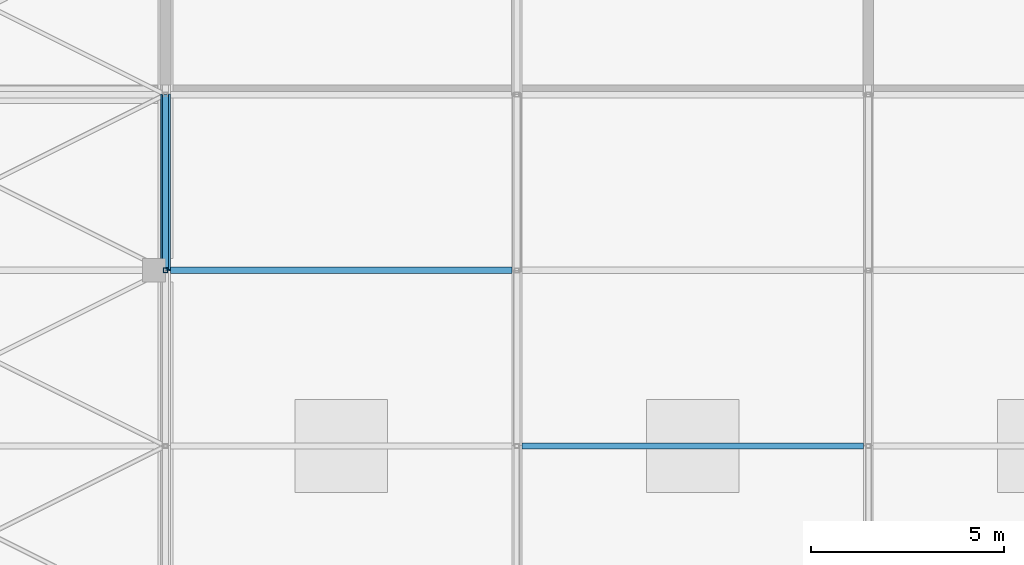
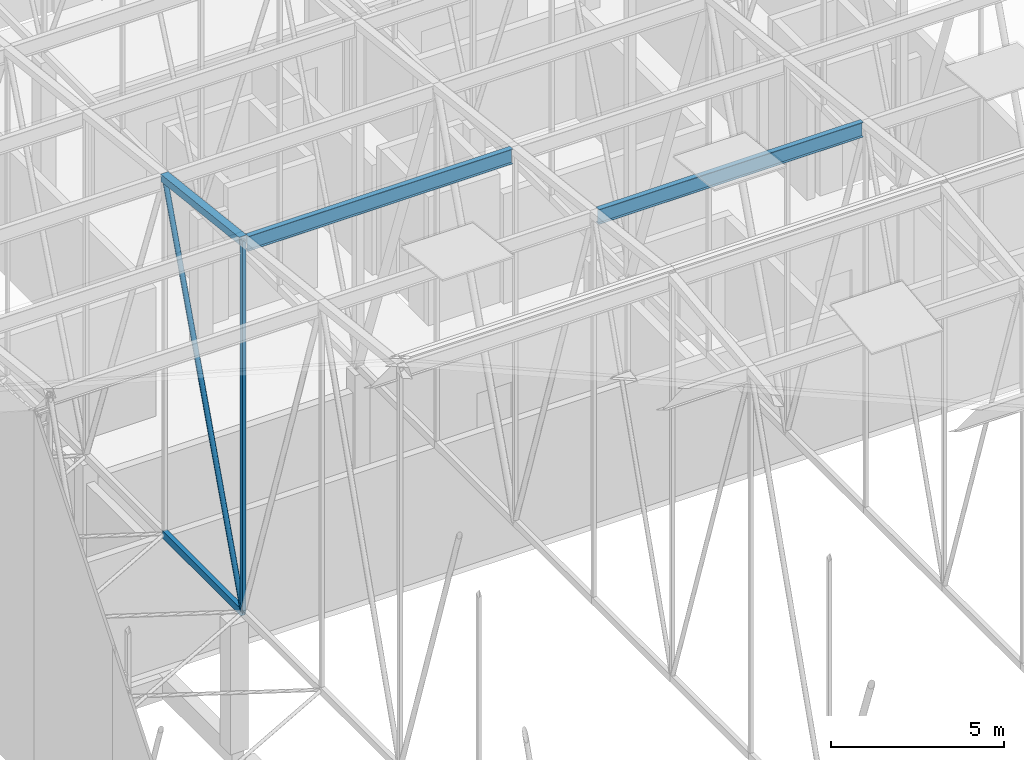
# One storey, part 174 of 500: 6 members.
"""IFC4 building model written with IfcOpenShell, lengths in metres."""

from ifc_helpers import new_model, si_unit, direction, frame, origin, origin_2d, place, context, subcontext, project, spatial, hollow_rectangle, hollow_circle, i_section, extrude, material, material_profile, profile_set, type_object, element, save


model = new_model("IFC4")

# Units and contexts
model_context = context("Model", 3, precision=1e-05, world=origin(), true_north=direction((0.0, 1.0)))
body_context = subcontext(model_context, "Body", "Model", "MODEL_VIEW")
ifc_project = project(units=[si_unit("LENGTHUNIT", "METRE"), si_unit("AREAUNIT", "SQUARE_METRE"), si_unit("VOLUMEUNIT", "CUBIC_METRE"), si_unit("PLANEANGLEUNIT", "RADIAN"), si_unit("MASSUNIT", "GRAM", prefix="KILO")], contexts=[model_context])

# Site, building, storey
site_placement = place(None, origin())
site = spatial("IfcSite", under=ifc_project, at=site_placement, CompositionType="ELEMENT")
building_placement = place(site_placement, origin())
building = spatial("IfcBuilding", under=site, at=building_placement, Name="Shirokan Park Arena", CompositionType="ELEMENT")
storey_placement = place(building_placement, frame((0.0, 0.0, 29.1201171875)))
storey = spatial("IfcBuildingStorey", under=building, at=storey_placement, Name="L06", CompositionType="ELEMENT", Elevation=29.1201171875)

# Members
ifc_material_1 = material(Name="Steel ASTM A500 Grade C", Category="steel")
ifc_material_profile_1 = material_profile(ifc_material_1, hollow_rectangle(XDim=0.152099609375, YDim=0.25390625, WallThickness=0.009521484375, at=origin_2d()), Name="HSS254X152.4X9.5")
ifc_profile_set_1 = profile_set([ifc_material_profile_1], Name="Steel ASTM A500 Grade C")
member_type_1 = type_object("IfcMemberType", Name="Bottom chord HSS254X152.4X9.5", PredefinedType="CHORD", material=ifc_profile_set_1)
member_1_placement = place(storey_placement, frame((9.10009765625, 63.699951171875, 4.677001953125), z_axis=(0.0, 1.0, 0.0), x_axis=(-1.0, 0.0, 0.0)))
element("IfcMember", 1, at=member_1_placement, inside=storey, type_object=member_type_1, Name="Truss T02 bottom chord 17", PredefinedType="CHORD", context=body_context, shape_type="SweptSolid", body=[
    extrude(hollow_rectangle(XDim=0.152099609375, YDim=0.25390625, WallThickness=0.009521484375, at=origin_2d()), origin(), (0.0, 0.0, 1.0), 4.550048828125),
])
ifc_material_2 = material(Name="Steel ASTM A992", Category="steel")
ifc_material_profile_2 = material_profile(ifc_material_2, i_section(OverallWidth=0.166015625, OverallDepth=0.528076171875, WebThickness=0.009765625, FlangeThickness=0.013671875, at=origin_2d()), Name="W530X74")
ifc_profile_set_2 = profile_set([ifc_material_profile_2], Name="Steel ASTM A992")
member_type_2 = type_object("IfcMemberType", Name="Purlin W530X74", PredefinedType="PURLIN", material=ifc_profile_set_2)
member_2_placement = place(storey_placement, frame((18.326904296875, 59.14990234375, 18.205810546875), z_axis=(1.0, 0.0, 0.0), x_axis=(0.0, 1.0, 0.0)))
element("IfcMember", 2, at=member_2_placement, inside=storey, type_object=member_type_2, Name="Purlin 16 bay 3", PredefinedType="PURLIN", context=body_context, shape_type="SweptSolid", body=[
    extrude(i_section(OverallWidth=0.166015625, OverallDepth=0.528076171875, WebThickness=0.009765625, FlangeThickness=0.013671875, at=origin_2d()), origin(), (0.0, 0.0, 1.0), 8.84619140625),
])
member_3_placement = place(storey_placement, frame((9.22705078125, 63.699951171875, 17.685791015625), z_axis=(1.0, 0.0, 0.0), x_axis=(0.0, 1.0, 0.0)))
element("IfcMember", 3, at=member_3_placement, inside=storey, type_object=member_type_2, Name="Purlin 17 bay 2", PredefinedType="PURLIN", context=body_context, shape_type="SweptSolid", body=[
    extrude(i_section(OverallWidth=0.166015625, OverallDepth=0.528076171875, WebThickness=0.009765625, FlangeThickness=0.013671875, at=origin_2d()), origin(), (0.0, 0.0, 1.0), 8.845947265625),
])
ifc_material_profile_3 = material_profile(ifc_material_1, hollow_rectangle(XDim=0.25390625, YDim=0.25390625, WallThickness=0.009521484375, at=origin_2d()), Name="HSS254X254X9.5")
ifc_profile_set_3 = profile_set([ifc_material_profile_3], Name="Steel ASTM A500 Grade C")
member_type_3 = type_object("IfcMemberType", Name="Top chord HSS254X254X9.5", PredefinedType="CHORD", material=ifc_profile_set_3)
member_4_placement = place(storey_placement, frame((9.10009765625, 63.699951171875, 17.822998046875), z_axis=(0.0, 0.993532328996, -0.113549598152), x_axis=(-1.0, 0.0, 0.0)))
element("IfcMember", 4, at=member_4_placement, inside=storey, type_object=member_type_3, Name="Truss T02 top chord 17", PredefinedType="CHORD", context=body_context, shape_type="SweptSolid", body=[
    extrude(hollow_rectangle(XDim=0.25390625, YDim=0.25390625, WallThickness=0.009521484375, at=origin_2d()), origin(), (0.0, 0.0, 1.0), 4.57958984375),
])
ifc_material_profile_4 = material_profile(ifc_material_1, hollow_circle(Radius=0.083984375, WallThickness=0.009521484375, at=origin_2d()), Name="HSS168.3X9.5")
ifc_profile_set_4 = profile_set([ifc_material_profile_4], Name="Steel ASTM A500 Grade C")
member_type_4 = type_object("IfcMemberType", Name="Truss diagonal HSS168.3X9.5", PredefinedType="BRACE", material=ifc_profile_set_4)
member_5_placement = place(storey_placement, frame((9.10009765625, 63.699951171875, 4.677001953125), z_axis=(0.0, 0.339029292845, 0.940775817394), x_axis=(-1.0, 0.0, 0.0)))
element("IfcMember", 5, at=member_5_placement, inside=storey, type_object=member_type_4, Name="Truss T02 diagonal 17", PredefinedType="BRACE", context=body_context, shape_type="SweptSolid", body=[
    extrude(hollow_circle(Radius=0.083984375, WallThickness=0.009521484375, at=origin_2d()), origin(), (0.0, 0.0, 1.0), 13.4208984375),
])
ifc_material_profile_5 = material_profile(ifc_material_1, hollow_rectangle(XDim=0.126953125, YDim=0.126953125, WallThickness=0.0126953125, at=origin_2d()), Name="HSS127X127X12.7")
ifc_profile_set_5 = profile_set([ifc_material_profile_5], Name="Steel ASTM A500 Grade C")
member_type_5 = type_object("IfcMemberType", Name="Truss post HSS127X127X12.7", PredefinedType="POST", material=ifc_profile_set_5)
member_6_placement = place(storey_placement, frame((9.10009765625, 63.699951171875, 4.677001953125), z_axis=(0.0, 0.0, 1.0), x_axis=(1.0, 0.0, 0.0)))
element("IfcMember", 6, at=member_6_placement, inside=storey, type_object=member_type_5, Name="Truss T02 post 17", PredefinedType="POST", context=body_context, shape_type="SweptSolid", body=[
    extrude(hollow_rectangle(XDim=0.126953125, YDim=0.126953125, WallThickness=0.0126953125, at=origin_2d()), origin(), (0.0, 0.0, 1.0), 13.14599609375),
])

save(model, "model.ifc")
